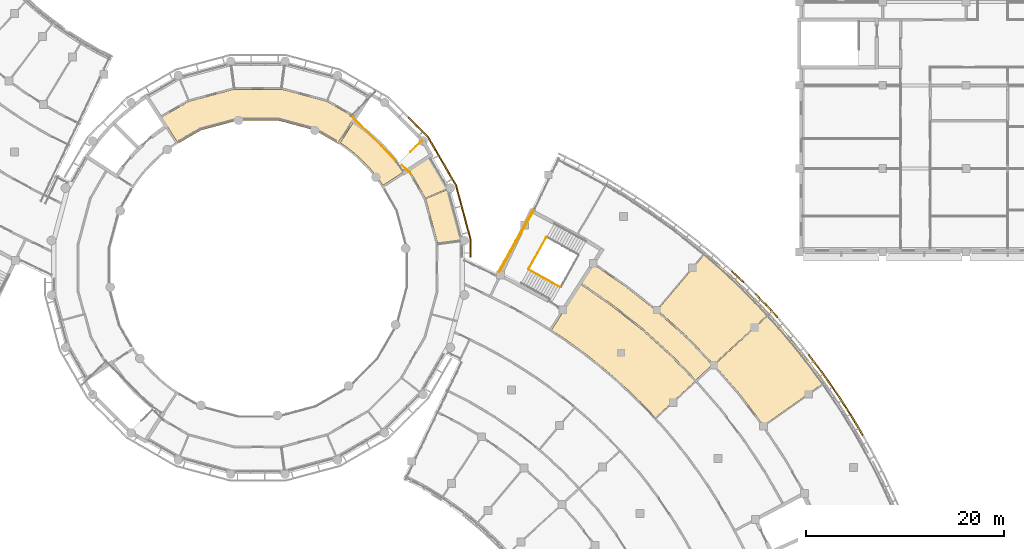
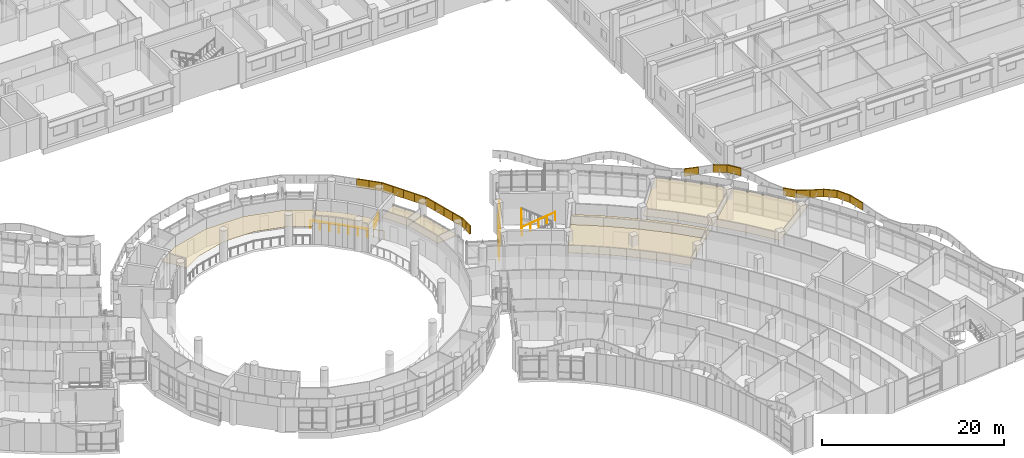
# One storey, part 96 of 109: 29 coverings, 7 railings.
"""IFC4 building model written with IfcOpenShell, lengths in metres."""

from ifc_helpers import new_model, si_unit, direction, frame, origin, origin_2d, place, context, subcontext, project, spatial, polyline, circle, outline, extrude, material, layer, layer_set, type_object, element, save


model = new_model("IFC4")

# Units and contexts
model_context = context("Model", 3, precision=1e-05, world=origin(), true_north=direction((0.0, 1.0)))
body_context = subcontext(model_context, "Body", "Model", "MODEL_VIEW")
ifc_project = project(units=[si_unit("LENGTHUNIT", "METRE"), si_unit("AREAUNIT", "SQUARE_METRE"), si_unit("VOLUMEUNIT", "CUBIC_METRE"), si_unit("PLANEANGLEUNIT", "RADIAN"), si_unit("MASSUNIT", "GRAM", prefix="KILO")], contexts=[model_context])

# Site, building, storey
site_placement = place(None, origin())
site = spatial("IfcSite", under=ifc_project, at=site_placement, CompositionType="ELEMENT")
building_placement = place(site_placement, origin())
building = spatial("IfcBuilding", under=site, at=building_placement, Name="Bougainvillea Quay General Hospital", CompositionType="ELEMENT")
storey_placement = place(building_placement, frame((0.0, 0.0, 12.60009765625)))
storey = spatial("IfcBuildingStorey", under=building, at=storey_placement, Name="L02", CompositionType="ELEMENT", Elevation=12.60009765625)

# Coverings
ifc_material_1 = material(Name="Powder-coated aluminium fascia, white", Category="aluminium")
ifc_layer_1 = layer(ifc_material_1, 0.14990234375)
ifc_layer_set_1 = layer_set([ifc_layer_1], Name="Powder-coated aluminium fascia, white")
covering_type_1 = type_object("IfcCoveringType", Name="Aluminium fascia band white 150x1100", PredefinedType="CLADDING", material=ifc_layer_set_1)
covering_1_placement = place(storey_placement, frame((130.570068359375, 75.06005859375, 3.64990234375), z_axis=(0.0, 0.0, 1.0), x_axis=(0.0, 1.0, 0.0)))
element("IfcCovering", 1, at=covering_1_placement, inside=storey, type_object=covering_type_1, Name="Fascia band white e1 1", PredefinedType="CLADDING", context=body_context, shape_type="SweptSolid", body=[
    extrude(outline(polyline([(0.0, 0.0), (0.84033203125, 0.0), (0.84033203125, -0.14990234375), (0.0, -0.14990234375), (0.0, 0.0)])), origin(), (0.0, 0.0, 1.0), 1.10009765625),
])
covering_2_placement = place(storey_placement, frame((130.570068359375, 75.900390625, 3.64990234375), z_axis=(0.0, 0.0, 1.0), x_axis=(0.0, 1.0, 0.0)))
element("IfcCovering", 2, at=covering_2_placement, inside=storey, type_object=covering_type_1, Name="Fascia band white e1 2", PredefinedType="CLADDING", context=body_context, shape_type="SweptSolid", body=[
    extrude(outline(polyline([(0.0, 0.0), (0.9130859375, 0.0), (0.932861328125, -0.14990234375), (0.0, -0.14990234375), (0.0, 0.0)])), origin(), (0.0, 0.0, 1.0), 1.10009765625),
])
covering_3_placement = place(storey_placement, frame((130.570068359375, 76.8134765625, 3.64990234375), z_axis=(0.0, 0.0, 1.0), x_axis=(-0.258905250026, 0.965902723626, 0.0)))
element("IfcCovering", 3, at=covering_3_placement, inside=storey, type_object=covering_type_1, Name="Fascia band white e1 3", PredefinedType="CLADDING", context=body_context, shape_type="SweptSolid", body=[
    extrude(outline(polyline([(0.0, 0.0), (1.4427484812010494, -1.1102230246251565e-16), (1.4427601315406933, -0.14988922115835282), (-0.019709400122614035, -0.1499110345602391), (0.0, 0.0)])), origin(), (0.0, 0.0, 1.0), 1.10009765625),
])
covering_4_placement = place(storey_placement, frame((130.196533203125, 78.20703125, 3.64990234375), z_axis=(0.0, 0.0, 1.0), x_axis=(-0.258848876884, 0.965917832393, 0.0)))
element("IfcCovering", 4, at=covering_4_placement, inside=storey, type_object=covering_type_1, Name="Fascia band white e1 4", PredefinedType="CLADDING", context=body_context, shape_type="SweptSolid", body=[
    extrude(outline(polyline([(0.0, 0.0), (1.3704379651734342, -5.551115123125783e-17), (1.3704583634542102, -0.1498892202231306), (2.039828077596978e-05, -0.14988922022313056), (0.0, 0.0)])), origin(), (0.0, 0.0, 1.0), 1.10009765625),
])
covering_5_placement = place(storey_placement, frame((129.841796875, 79.53076171875, 3.64990234375), z_axis=(0.0, 0.0, 1.0), x_axis=(-0.258804342537, 0.96592976571, 0.0)))
element("IfcCovering", 5, at=covering_5_placement, inside=storey, type_object=covering_type_1, Name="Fascia band white e1 5", PredefinedType="CLADDING", context=body_context, shape_type="SweptSolid", body=[
    extrude(outline(polyline([(0.0, 0.0), (1.3706737864135623, -5.551115123125783e-17), (1.3707010954037027, -0.14988921912334807), (2.730899014045246e-05, -0.14988921912334804), (0.0, 0.0)])), origin(), (0.0, 0.0, 1.0), 1.10009765625),
])
covering_6_placement = place(storey_placement, frame((129.487060546875, 80.854736328125, 3.64990234375), z_axis=(0.0, 0.0, 1.0), x_axis=(-0.258905250026, 0.965902723626, 0.0)))
element("IfcCovering", 6, at=covering_6_placement, inside=storey, type_object=covering_type_1, Name="Fascia band white e1 6", PredefinedType="CLADDING", context=body_context, shape_type="SweptSolid", body=[
    extrude(outline(polyline([(0.0, 0.0), (1.4427484812010494, -1.1102230246251565e-16), (1.462481182002951, -0.14986740775646643), (1.1650339643856644e-05, -0.14988922115835274), (0.0, 0.0)])), origin(), (0.0, 0.0, 1.0), 1.10009765625),
])
covering_7_placement = place(storey_placement, frame((129.113525390625, 82.248291015625, 3.64990234375), z_axis=(0.0, 0.0, 1.0), x_axis=(-0.49994213401, 0.866058810152, 0.0)))
element("IfcCovering", 7, at=covering_7_placement, inside=storey, type_object=covering_type_1, Name="Fascia band white e1 7", PredefinedType="CLADDING", context=body_context, shape_type="SweptSolid", body=[
    extrude(outline(polyline([(0.0, 0.0), (1.4430380994058942, 0.0), (1.443016331686934, -0.14995740286665526), (-0.019704824865206458, -0.14987107548026693), (0.0, 0.0)])), origin(), (0.0, 0.0, 1.0), 1.10009765625),
])
for number, where, z_axis, x_axis, name in (
    (8, (128.39208984375, 83.498046875, 3.64990234375), (0.0, 0.0, 1.0), (-0.499989712218, 0.866031343357, 0.0), "Fascia band white e1 8"),
    (9, (127.706787109375, 84.68505859375, 3.64990234375), (0.0, 0.0, 1.0), (-0.499989712218, 0.866031343357, 0.0), "Fascia band white e1 9"),
):
    element("IfcCovering", number, at=place(storey_placement, frame(where, z_axis=z_axis, x_axis=x_axis)), inside=storey, type_object=covering_type_1, Name=name, PredefinedType="CLADDING", context=body_context, shape_type="SweptSolid", body=[
        extrude(outline(polyline([(0.0, 0.0), (1.3706336703115394, 0.0), (1.3706036643327093, -0.14995740144450087), (-3.0005978829975022e-05, -0.14995740144450084), (0.0, 0.0)])), origin(), (0.0, 0.0, 1.0), 1.10009765625),
    ])
covering_8_placement = place(storey_placement, frame((127.021484375, 85.8720703125, 3.64990234375), z_axis=(0.0, 0.0, 1.0), x_axis=(-0.500015396624, 0.866016514357, 0.0)))
element("IfcCovering", 10, at=covering_8_placement, inside=storey, type_object=covering_type_1, Name="Fascia band white e1 10", PredefinedType="CLADDING", context=body_context, shape_type="SweptSolid", body=[
    extrude(outline(polyline([(0.0, 0.0), (1.4428266644293797, 0.0), (1.4626866906226388, -0.15016746703797101), (-3.44533927520152e-05, -0.1499574004886377), (0.0, 0.0)])), origin(), (0.0, 0.0, 1.0), 1.10009765625),
])
covering_9_placement = place(storey_placement, frame((126.300048828125, 87.12158203125, 3.64990234375), z_axis=(0.0, 0.0, 1.0), x_axis=(-0.707022163611, 0.707191388638, 0.0)))
element("IfcCovering", 11, at=covering_9_placement, inside=storey, type_object=covering_type_1, Name="Fascia band white e1 11", PredefinedType="CLADDING", context=body_context, shape_type="SweptSolid", body=[
    extrude(outline(polyline([(0.0, 0.0), (1.4426980987993736, 1.1102230246251565e-16), (1.4428886835284849, -0.15001848238266435), (-0.019662245993976327, -0.15019349146840363), (0.0, 0.0)])), origin(), (0.0, 0.0, 1.0), 1.10009765625),
])
covering_10_placement = place(storey_placement, frame((125.280029296875, 88.141845703125, 3.64990234375), z_axis=(0.0, 0.0, 1.0), x_axis=(-0.707195843064, 0.707017708091, 0.0)))
element("IfcCovering", 12, at=covering_10_placement, inside=storey, type_object=covering_type_1, Name="Fascia band white e1 12", PredefinedType="CLADDING", context=body_context, shape_type="SweptSolid", body=[
    extrude(outline(polyline([(0.0, 0.0), (1.3705372998959335, 0.0), (1.3705183817530422, -0.15019113641407222), (0.00015373709223164, -0.15001852466893292), (0.0, 0.0)])), origin(), (0.0, 0.0, 1.0), 1.10009765625),
])
ifc_material_2 = material(Name="Powder-coated aluminium fascia, blue", Category="aluminium")
ifc_layer_2 = layer(ifc_material_2, 0.14990234375)
ifc_layer_set_2 = layer_set([ifc_layer_2], Name="Powder-coated aluminium fascia, blue")
covering_type_2 = type_object("IfcCoveringType", Name="Aluminium wave fascia ribbon blue 150x1000", PredefinedType="CLADDING", material=ifc_layer_set_2)
covering_11_placement = place(storey_placement, frame((170.123779296875, 57.07763671875, 3.890380859375), z_axis=(0.145503094771, -0.248072846829, 0.957751905286), x_axis=(-0.487458890384, 0.824423120497, 0.287594069088)))
element("IfcCovering", 13, at=covering_11_placement, inside=storey, type_object=covering_type_2, Name="Fascia ribbon blue a23 19", PredefinedType="CLADDING", context=body_context, shape_type="SweptSolid", body=[
    extrude(outline(polyline([(0.0, 0.0), (1.7033308539767402, 5.800481622797449e-18), (1.7049485195488137, -0.15005511732157228), (-0.001780487968845149, -0.15015909634301874), (0.0, 0.0)])), origin(), (0.287594069088, -0.000969199216, 0.957751905286), 1.0),
])
covering_12_placement = place(storey_placement, frame((169.29345703125, 58.48193359375, 4.380615234375), z_axis=(0.032792269834, -0.051212604702, 0.998149255452), x_axis=(-0.527795664196, 0.847191972255, 0.060807063761)))
element("IfcCovering", 14, at=covering_12_placement, inside=storey, type_object=covering_type_2, Name="Fascia ribbon blue a23 20", PredefinedType="CLADDING", context=body_context, shape_type="SweptSolid", body=[
    extrude(outline(polyline([(0.0, 0.0), (1.63424712676053, -3.08455518072126e-17), (1.6359615771421105, -0.15006918996823884), (-0.002020087708419499, -0.15004870400414455), (0.0, 0.0)])), origin(), (0.060807063761, 0.000751557042, 0.998149255452), 1.0),
])
covering_13_placement = place(storey_placement, frame((168.430908203125, 59.866455078125, 4.479736328125), z_axis=(-0.114482759681, 0.174611686873, 0.977959332766), x_axis=(-0.536311082284, 0.817786573701, -0.208795457073)))
element("IfcCovering", 15, at=covering_13_placement, inside=storey, type_object=covering_type_2, Name="Fascia ribbon blue a23 21", PredefinedType="CLADDING", context=body_context, shape_type="SweptSolid", body=[
    extrude(outline(polyline([(0.0, 0.0), (1.6679100865576613, 1.2859315392035886e-16), (1.6697166621750128, -0.15004185274581885), (-0.0018406678814210861, -0.15006844926332447), (0.0, 0.0)])), origin(), (-0.208795457073, 2.3718979e-05, 0.977959332766), 1.0),
])
covering_14_placement = place(storey_placement, frame((167.536376953125, 61.23046875, 4.131103515625), z_axis=(-0.1947776476, 0.282399683913, 0.939314689825), x_axis=(-0.533204351494, 0.773307964668, -0.343056717364)))
element("IfcCovering", 16, at=covering_14_placement, inside=storey, type_object=covering_type_2, Name="Fascia ribbon blue a23 22", PredefinedType="CLADDING", context=body_context, shape_type="SweptSolid", body=[
    extrude(outline(polyline([(0.0, 0.0), (1.7367706703960266, 3.4504056512993375e-16), (1.7386119439414227, -0.150097006289703), (-0.0018007082069055578, -0.15004189326590314), (0.0, 0.0)])), origin(), (-0.343056717364, -4.6365906e-05, 0.939314689825), 1.0),
])
covering_15_placement = place(storey_placement, frame((166.6103515625, 62.573486328125, 3.53466796875), z_axis=(-0.172483850301, 0.237702813088, 0.955900985477), x_axis=(-0.560710063214, 0.774177616529, -0.293689024439)))
element("IfcCovering", 17, at=covering_15_placement, inside=storey, type_object=covering_type_2, Name="Fascia ribbon blue a23 23", PredefinedType="CLADDING", context=body_context, shape_type="SweptSolid", body=[
    extrude(outline(polyline([(0.0, 0.0), (1.706406588854417, 4.1470733097570545e-18), (1.7084281958247591, -0.1500369481119821), (-0.001765326151003238, -0.1500979722338392), (0.0, 0.0)])), origin(), (-0.293689024439, -0.000250776763, 0.955900985477), 1.0),
])
covering_16_placement = place(storey_placement, frame((165.653564453125, 63.89453125, 3.033203125), z_axis=(-0.044566031771, 0.057242223045, 0.997365127079), x_axis=(-0.603564840365, 0.794007166012, -0.072540359777)))
element("IfcCovering", 18, at=covering_16_placement, inside=storey, type_object=covering_type_2, Name="Fascia ribbon blue a23 24", PredefinedType="CLADDING", context=body_context, shape_type="SweptSolid", body=[
    extrude(outline(polyline([(0.0, 0.0), (1.635788318474646, -3.10623922417097e-17), (1.6374025162308437, -0.1499648139412402), (-0.0015208439290610015, -0.1500422802972845), (0.0, 0.0)])), origin(), (-0.072540359777, -0.000836355373, 0.997365127079), 1.0),
])
covering_17_placement = place(storey_placement, frame((161.52734375, 68.94677734375, 4.35205078125), z_axis=(0.057443151653, -0.061428445558, 0.996457139271), x_axis=(-0.673985679721, 0.733941897268, 0.084098721549)))
element("IfcCovering", 19, at=covering_17_placement, inside=storey, type_object=covering_type_2, Name="Fascia ribbon blue a23 28", PredefinedType="CLADDING", context=body_context, shape_type="SweptSolid", body=[
    extrude(outline(polyline([(0.0, 0.0), (1.6369387309733805, -1.1546753136970622e-16), (1.6386584463627405, -0.15008104173951187), (-0.0019173247446006836, -0.1500627602201132), (0.0, 0.0)])), origin(), (0.084098721549, 0.000758043076, 0.996457139271), 1.0),
])
covering_18_placement = place(storey_placement, frame((160.424072265625, 70.148193359375, 4.489501953125), z_axis=(-0.132160613441, 0.136282263494, 0.981815011554), x_axis=(-0.680675004274, 0.707561173791, -0.189838678621)))
element("IfcCovering", 20, at=covering_18_placement, inside=storey, type_object=covering_type_2, Name="Fascia ribbon blue a23 29", PredefinedType="CLADDING", context=body_context, shape_type="SweptSolid", body=[
    extrude(outline(polyline([(0.0, 0.0), (1.661731806776273, 1.38073146666029e-16), (1.6634439778482322, -0.1500137958658067), (-0.0018161194105869355, -0.15008070023588002), (0.0, 0.0)])), origin(), (-0.189838678621, -0.000747788489, 0.981815011554), 1.0),
])
covering_19_placement = place(storey_placement, frame((158.135009765625, 72.472900390625, 3.58544921875), z_axis=(-0.221809532102, 0.209054527314, 0.952416261977), x_axis=(-0.691390620047, 0.6550391725, -0.304799430775)))
element("IfcCovering", 21, at=covering_19_placement, inside=storey, type_object=covering_type_2, Name="Fascia ribbon blue a23 31", PredefinedType="CLADDING", context=body_context, shape_type="SweptSolid", body=[
    extrude(outline(polyline([(0.0, 0.0), (1.7126002655920711, 9.047667129391535e-17), (1.714485611563627, -0.14994972329738282), (-0.0019427022948985521, -0.15002449706365362), (0.0, 0.0)])), origin(), (-0.304799430775, -0.000755593097, 0.952416261977), 1.0),
])

# Railings
ifc_material_3 = material(Name="Stainless steel 304 balustrade", Category="steel")
railing_type = type_object("IfcRailingType", Name="Stair guard 1100", PredefinedType="GUARDRAIL", material=ifc_material_3)
railing_1_placement = place(storey_placement, frame((138.267578125, 77.06982421875, 2.099853515625)))
element("IfcRailing", 22, at=railing_1_placement, inside=storey, type_object=railing_type, Name="L02 ST-E1 stair guard 2", PredefinedType="GUARDRAIL", context=body_context, shape_type="SweptSolid", body=[
    extrude(circle(Radius=0.02392578125, at=origin_2d()), frame((0.0, 0.0, 1.076171875), z_axis=(-0.487183857125, -0.873299427091, 0.0), x_axis=(0.873299427091, -0.487183857125, 0.0)), (0.0, 0.0, 1.0), 3.6572265625),
    extrude(circle(Radius=0.02099609375, at=origin_2d()), origin(), (0.0, 0.0, 1.0), 1.052001953125),
    extrude(circle(Radius=0.02099609375, at=origin_2d()), frame((-0.4453125, -0.79833984375, 0.0)), (0.0, 0.0, 1.0), 1.052001953125),
    extrude(circle(Radius=0.02099609375, at=origin_2d()), frame((-0.890869140625, -1.596923828125, 0.0)), (0.0, 0.0, 1.0), 1.052001953125),
    extrude(circle(Radius=0.02099609375, at=origin_2d()), frame((-1.33642578125, -2.3955078125, 0.0)), (0.0, 0.0, 1.0), 1.052001953125),
    extrude(circle(Radius=0.02099609375, at=origin_2d()), frame((-1.78173828125, -3.19384765625, 0.0)), (0.0, 0.0, 1.0), 1.052001953125),
])
railing_2_placement = place(storey_placement, frame((136.9755859375, 79.679931640625, 2.099853515625)))
element("IfcRailing", 23, at=railing_2_placement, inside=storey, type_object=railing_type, Name="L02 ST-E1 stair guard 3", PredefinedType="GUARDRAIL", context=body_context, shape_type="SweptSolid", body=[
    extrude(circle(Radius=0.02392578125, at=origin_2d()), frame((0.0, 0.0, 1.076171875), z_axis=(-0.487209347001, -0.873285206674, 0.0), x_axis=(0.873285206674, -0.487209347001, 0.0)), (0.0, 0.0, 1.0), 6.957275390625),
    extrude(circle(Radius=0.02099609375, at=origin_2d()), origin(), (0.0, 0.0, 1.0), 1.052001953125),
    extrude(circle(Radius=0.02099609375, at=origin_2d()), frame((-0.56494140625, -1.0126953125, 0.0)), (0.0, 0.0, 1.0), 1.052001953125),
    extrude(circle(Radius=0.02099609375, at=origin_2d()), frame((-1.1298828125, -2.025146484375, 0.0)), (0.0, 0.0, 1.0), 1.052001953125),
    extrude(circle(Radius=0.02099609375, at=origin_2d()), frame((-1.69482421875, -3.037841796875, 0.0)), (0.0, 0.0, 1.0), 1.052001953125),
    extrude(circle(Radius=0.02099609375, at=origin_2d()), frame((-2.259765625, -4.050537109375, 0.0)), (0.0, 0.0, 1.0), 1.052001953125),
    extrude(circle(Radius=0.02099609375, at=origin_2d()), frame((-2.82470703125, -5.06298828125, 0.0)), (0.0, 0.0, 1.0), 1.052001953125),
    extrude(circle(Radius=0.02099609375, at=origin_2d()), frame((-3.3896484375, -6.07568359375, 0.0)), (0.0, 0.0, 1.0), 1.052001953125),
])
railing_3_placement = place(storey_placement, frame((136.505126953125, 73.807861328125, 2.25)))
element("IfcRailing", 24, at=railing_3_placement, inside=storey, type_object=railing_type, Name="L02 ST-E1 stair guard 4", PredefinedType="GUARDRAIL", context=body_context, shape_type="SweptSolid", body=[
    extrude(circle(Radius=0.02392578125, at=origin_2d()), frame((0.0, 0.0, 1.076171875), z_axis=(0.769802965158, -0.429422345311, 0.472228593143), x_axis=(0.487162764816, 0.873311193434, 0.0)), (0.0, 0.0, 1.0), 4.129150390625),
    extrude(circle(Radius=0.02099609375, at=origin_2d()), origin(), (0.0, 0.0, 1.0), 1.052001953125),
    extrude(circle(Radius=0.02099609375, at=origin_2d()), frame((0.794677734375, -0.443359375, 0.487548828125)), (0.0, 0.0, 1.0), 1.052001953125),
    extrude(circle(Radius=0.02099609375, at=origin_2d()), frame((1.58935546875, -0.88671875, 0.97509765625)), (0.0, 0.0, 1.0), 1.052001953125),
    extrude(circle(Radius=0.02099609375, at=origin_2d()), frame((2.384033203125, -1.329833984375, 1.46240234375)), (0.0, 0.0, 1.0), 1.052001953125),
    extrude(circle(Radius=0.02099609375, at=origin_2d()), frame((3.1787109375, -1.773193359375, 1.949951171875)), (0.0, 0.0, 1.0), 1.052001953125),
])
railing_4_placement = place(storey_placement, frame((136.93701171875, 79.816162109375, 0.0)))
element("IfcRailing", 25, at=railing_4_placement, inside=storey, type_object=railing_type, Name="L02 ST-E1 stair guard 6", PredefinedType="GUARDRAIL", context=body_context, shape_type="SweptSolid", body=[
    extrude(circle(Radius=0.02392578125, at=origin_2d()), frame((0.0, 0.0, 1.076171875), z_axis=(-0.48719739913, -0.873291872332, 0.0), x_axis=(0.873291872332, -0.48719739913, 0.0)), (0.0, 0.0, 1.0), 7.157470703125),
    extrude(circle(Radius=0.02099609375, at=origin_2d()), origin(), (0.0, 0.0, 1.0), 1.052001953125),
    extrude(circle(Radius=0.02099609375, at=origin_2d()), frame((-0.5810546875, -1.041748046875, 0.0)), (0.0, 0.0, 1.0), 1.052001953125),
    extrude(circle(Radius=0.02099609375, at=origin_2d()), frame((-1.162353515625, -2.08349609375, 0.0)), (0.0, 0.0, 1.0), 1.052001953125),
    extrude(circle(Radius=0.02099609375, at=origin_2d()), frame((-1.74365234375, -3.125244140625, 0.0)), (0.0, 0.0, 1.0), 1.052001953125),
    extrude(circle(Radius=0.02099609375, at=origin_2d()), frame((-2.32470703125, -4.1669921875, 0.0)), (0.0, 0.0, 1.0), 1.052001953125),
    extrude(circle(Radius=0.02099609375, at=origin_2d()), frame((-2.90576171875, -5.208740234375, 0.0)), (0.0, 0.0, 1.0), 1.052001953125),
    extrude(circle(Radius=0.02099609375, at=origin_2d()), frame((-3.487060546875, -6.25048828125, 0.0)), (0.0, 0.0, 1.0), 1.052001953125),
])
railing_5_placement = place(storey_placement, frame((125.734619140625, 86.835205078125, 0.0)))
element("IfcRailing", 26, at=railing_5_placement, inside=storey, type_object=railing_type, Name="L02 ST-H1 top well guard 1", PredefinedType="GUARDRAIL", context=body_context, shape_type="SweptSolid", body=[
    extrude(circle(Radius=0.02392578125, at=origin_2d()), frame((0.0, 0.0, 1.076171875), z_axis=(-0.707106781187, -0.707106781187, 0.0), x_axis=(0.707106781187, -0.707106781187, 0.0)), (0.0, 0.0, 1.0), 1.662841796875),
    extrude(circle(Radius=0.02099609375, at=origin_2d()), origin(), (0.0, 0.0, 1.0), 1.052001953125),
    extrude(circle(Radius=0.02099609375, at=origin_2d()), frame((-0.587890625, -0.587890625, 0.0)), (0.0, 0.0, 1.0), 1.052001953125),
    extrude(circle(Radius=0.02099609375, at=origin_2d()), frame((-1.17578125, -1.17578125, 0.0)), (0.0, 0.0, 1.0), 1.052001953125),
])
railing_6_placement = place(storey_placement, frame((123.180908203125, 84.756103515625, 0.0)))
element("IfcRailing", 27, at=railing_6_placement, inside=storey, type_object=railing_type, Name="L02 ST-H1 top well guard 2", PredefinedType="GUARDRAIL", context=body_context, shape_type="SweptSolid", body=[
    extrude(circle(Radius=0.02392578125, at=origin_2d()), frame((0.0, 0.0, 1.076171875), z_axis=(-0.707106781187, 0.707106781187, 0.0), x_axis=(-0.707106781187, -0.707106781187, 0.0)), (0.0, 0.0, 1.0), 6.50927734375),
    extrude(circle(Radius=0.02099609375, at=origin_2d()), origin(), (0.0, 0.0, 1.0), 1.052001953125),
    extrude(circle(Radius=0.02099609375, at=origin_2d()), frame((-0.76708984375, 0.76708984375, 0.0)), (0.0, 0.0, 1.0), 1.052001953125),
    extrude(circle(Radius=0.02099609375, at=origin_2d()), frame((-1.5341796875, 1.5341796875, 0.0)), (0.0, 0.0, 1.0), 1.052001953125),
    extrude(circle(Radius=0.02099609375, at=origin_2d()), frame((-2.30126953125, 2.30126953125, 0.0)), (0.0, 0.0, 1.0), 1.052001953125),
    extrude(circle(Radius=0.02099609375, at=origin_2d()), frame((-3.068603515625, 3.068603515625, 0.0)), (0.0, 0.0, 1.0), 1.052001953125),
    extrude(circle(Radius=0.02099609375, at=origin_2d()), frame((-3.835693359375, 3.835693359375, 0.0)), (0.0, 0.0, 1.0), 1.052001953125),
    extrude(circle(Radius=0.02099609375, at=origin_2d()), frame((-4.602783203125, 4.602783203125, 0.0)), (0.0, 0.0, 1.0), 1.052001953125),
])
railing_7_placement = place(storey_placement, frame((124.558837890625, 83.51953125, 0.0)))
element("IfcRailing", 28, at=railing_7_placement, inside=storey, type_object=railing_type, Name="L02 ST-H1 top well guard 4", PredefinedType="GUARDRAIL", context=body_context, shape_type="SweptSolid", body=[
    extrude(circle(Radius=0.02392578125, at=origin_2d()), frame((0.0, 0.0, 1.076171875), z_axis=(-0.707106781187, 0.707106781187, 0.0), x_axis=(-0.707106781187, -0.707106781187, 0.0)), (0.0, 0.0, 1.0), 1.212890625),
    extrude(circle(Radius=0.02099609375, at=origin_2d()), origin(), (0.0, 0.0, 1.0), 1.052001953125),
    extrude(circle(Radius=0.02099609375, at=origin_2d()), frame((-0.4287109375, 0.4287109375, 0.0)), (0.0, 0.0, 1.0), 1.052001953125),
    extrude(circle(Radius=0.02099609375, at=origin_2d()), frame((-0.857666015625, 0.857666015625, 0.0)), (0.0, 0.0, 1.0), 1.052001953125),
])

# Coverings
ifc_material_4 = material(Name="Mineral fibre ceiling tile")
ifc_layer_3 = layer(ifc_material_4, 0.030029296875)
ifc_layer_set_3 = layer_set([ifc_layer_3], Name="Mineral fibre ceiling tile")
covering_type_3 = type_object("IfcCoveringType", Name="Suspended ceiling mineral fibre tile", PredefinedType="CEILING", material=ifc_layer_set_3)
covering_20_placement = place(storey_placement, frame((0.0, 0.0, 2.39990234375)))
element("IfcCovering", 29, at=covering_20_placement, inside=storey, type_object=covering_type_3, Name="Ceiling Gallery Corridor", PredefinedType="CEILING", context=body_context, shape_type="SweptSolid", body=[
    extrude(outline(polyline([(117.4033203125, 86.435791015625), (117.314453125, 86.496826171875), (117.231689453125, 86.550537109375), (117.233154296875, 86.552734375), (117.23095703125, 86.55419921875), (117.286865234375, 86.635498046875), (118.649169921875, 88.73388671875), (118.64697265625, 88.7353515625), (118.702880859375, 88.816650390625), (118.756591796875, 88.8994140625), (118.7587890625, 88.89794921875), (118.76025390625, 88.900146484375), (118.778564453125, 88.887451171875), (118.949951171875, 89.151611328125), (116.14599609375, 90.77001953125), (111.569091796875, 91.9970703125), (106.830810546875, 91.9970703125), (102.25390625, 90.77001953125), (99.385009765625, 89.114013671875), (99.941162109375, 88.257080078125), (100.02490234375, 88.3115234375), (101.113037109375, 86.635498046875), (101.1689453125, 86.55419921875), (101.1669921875, 86.552734375), (101.168212890625, 86.550537109375), (101.085693359375, 86.496826171875), (100.996826171875, 86.435791015625), (103.4599609375, 87.85791015625), (107.241943359375, 88.8720703125), (111.157958984375, 88.8720703125), (114.93994140625, 87.85791015625), (117.4033203125, 86.435791015625)])), origin(), (0.0, 0.0, 1.0), 0.030029296875),
])
covering_21_placement = place(storey_placement, frame((0.0, 0.0, 2.699951171875)))
element("IfcCovering", 30, at=covering_21_placement, inside=storey, type_object=covering_type_3, Name="Ceiling Smoke-proof Vestibule ST-H1", PredefinedType="CEILING", context=body_context, shape_type="SweptSolid", body=[
    extrude(outline(polyline([(120.871337890625, 83.5771484375), (120.87548828125, 83.580322265625), (120.934814453125, 83.5029296875), (120.998046875, 83.428955078125), (120.994140625, 83.425537109375), (121.3564453125, 82.953125), (121.36083984375, 82.9560546875), (121.416015625, 82.875732421875), (121.47509765625, 82.798583984375), (121.47119140625, 82.79541015625), (121.80712890625, 82.306884765625), (123.8203125, 83.614013671875), (123.358154296875, 84.2861328125), (122.80029296875, 85.012939453125), (122.20458984375, 85.7099609375), (121.57421875, 86.374267578125), (120.91015625, 87.004638671875), (120.213134765625, 87.600341796875), (119.486083984375, 88.158203125), (118.81396484375, 88.620361328125), (117.5068359375, 86.607177734375), (117.995361328125, 86.271240234375), (117.99853515625, 86.275146484375), (118.075927734375, 86.2158203125), (118.156005859375, 86.16064453125), (118.153076171875, 86.156494140625), (118.62548828125, 85.794189453125), (118.62890625, 85.798095703125), (118.702880859375, 85.734619140625), (118.7802734375, 85.675537109375), (118.777099609375, 85.67138671875), (119.229736328125, 85.28466796875), (119.233154296875, 85.288330078125), (119.303955078125, 85.221435546875), (119.3779296875, 85.157958984375), (119.374755859375, 85.154296875), (119.806884765625, 84.74462890625), (119.810791015625, 84.748291015625), (119.877685546875, 84.677734375), (119.948486328125, 84.61083984375), (119.94482421875, 84.60693359375), (120.354248046875, 84.1748046875), (120.358154296875, 84.177978515625), (120.42138671875, 84.10400390625), (120.48828125, 84.033203125), (120.484619140625, 84.02978515625), (120.871337890625, 83.5771484375)])), origin(), (0.0, 0.0, 1.0), 0.030029296875),
])
covering_22_placement = place(storey_placement, frame((0.0, 0.0, 2.699951171875)))
element("IfcCovering", 31, at=covering_22_placement, inside=storey, type_object=covering_type_3, Name="Ceiling Patient Education Room 02H0312", PredefinedType="CEILING", context=body_context, shape_type="SweptSolid", body=[
    extrude(outline(polyline([(128.614013671875, 81.9873046875), (126.135009765625, 80.960205078125), (126.142333984375, 80.947509765625), (126.12744140625, 80.938720703125), (127.32958984375, 76.455078125), (127.346923828125, 76.455078125), (127.346923828125, 76.440185546875), (130.0068359375, 76.789794921875), (128.614013671875, 81.9873046875)])), origin(), (0.0, 0.0, 1.0), 0.030029296875),
])
covering_23_placement = place(storey_placement, frame((0.0, 0.0, 2.699951171875)))
element("IfcCovering", 32, at=covering_23_placement, inside=storey, type_object=covering_type_3, Name="Ceiling Teaching Room 02H0313", PredefinedType="CEILING", context=body_context, shape_type="SweptSolid", body=[
    extrude(outline(polyline([(126.7099609375, 85.3115234375), (124.466796875, 83.855224609375), (124.480712890625, 83.833984375), (124.4775390625, 83.831787109375), (126.076171875, 81.062255859375), (126.093017578125, 81.06689453125), (126.096923828125, 81.052734375), (128.57568359375, 82.07958984375), (126.7099609375, 85.3115234375)])), origin(), (0.0, 0.0, 1.0), 0.030029296875),
])
covering_24_placement = place(storey_placement, frame((0.0, 0.0, 2.39990234375)))
element("IfcCovering", 33, at=covering_24_placement, inside=storey, type_object=covering_type_3, Name="Ceiling Clinic Corridor 02E1", PredefinedType="CEILING", context=body_context, shape_type="SweptSolid", body=[
    extrude(outline(polyline([(141.794921875, 72.461669921875), (144.8466796875, 70.352783203125), (144.849609375, 70.3564453125), (144.906494140625, 70.311279296875), (144.96630859375, 70.27001953125), (144.963623046875, 70.266357421875), (147.858154296875, 67.9814453125), (147.861328125, 67.98486328125), (147.915283203125, 67.936279296875), (147.972412109375, 67.891357421875), (147.969482421875, 67.8876953125), (150.711181640625, 65.42236328125), (150.715087890625, 65.426025390625), (150.76513671875, 65.3740234375), (150.81884765625, 65.32568359375), (150.8154296875, 65.32177734375), (153.352783203125, 62.684814453125), (155.00830078125, 64.206298828125), (152.32177734375, 66.9990234375), (149.36474609375, 69.65673828125), (146.244384765625, 72.12060546875), (143.014404296875, 74.3525390625), (141.794921875, 72.461669921875)])), origin(), (0.0, 0.0, 1.0), 0.030029296875),
])
covering_25_placement = place(storey_placement, frame((0.0, 0.0, 2.699951171875)))
element("IfcCovering", 34, at=covering_25_placement, inside=storey, type_object=covering_type_3, Name="Ceiling Haematology Waiting Hall 02E101", PredefinedType="CEILING", context=body_context, shape_type="SweptSolid", body=[
    extrude(outline(polyline([(140.07568359375, 69.795654296875), (140.11669921875, 69.77001953125), (140.115966796875, 69.768798828125), (140.1171875, 69.767822265625), (140.010986328125, 69.600341796875), (140.009765625, 69.60107421875), (138.802734375, 67.728515625), (140.103271484375, 66.859619140625), (140.1044921875, 66.861572265625), (140.16455078125, 66.818603515625), (140.22607421875, 66.777587890625), (140.224853515625, 66.77587890625), (141.518310546875, 65.851318359375), (141.51953125, 65.85302734375), (141.578369140625, 65.808349609375), (141.638671875, 65.765380859375), (141.637451171875, 65.763671875), (142.611328125, 65.02490234375), (142.612548828125, 65.0263671875), (142.670166015625, 64.980224609375), (142.72900390625, 64.935302734375), (142.727783203125, 64.933837890625), (143.92626953125, 63.969970703125), (143.927734375, 63.9716796875), (143.98388671875, 63.923828125), (144.04150390625, 63.87744140625), (144.0400390625, 63.875732421875), (145.20751953125, 62.876220703125), (145.208984375, 62.8779296875), (145.263671875, 62.828125), (145.31982421875, 62.7802734375), (145.318359375, 62.778564453125), (146.454833984375, 61.742431640625), (146.456298828125, 61.744140625), (146.50927734375, 61.692626953125), (146.56396484375, 61.642822265625), (146.5625, 61.641357421875), (147.667236328125, 60.571044921875), (147.669189453125, 60.572998046875), (147.72021484375, 60.52001953125), (147.77294921875, 60.46875), (147.771240234375, 60.466796875), (149.271240234375, 58.901123046875), (149.273193359375, 58.90283203125), (149.2890625, 58.885009765625), (153.277099609375, 62.54736328125), (150.660888671875, 65.26611328125), (147.818603515625, 67.821533203125), (144.8173828125, 70.190673828125), (141.71337890625, 72.33544921875), (140.07568359375, 69.795654296875)])), origin(), (0.0, 0.0, 1.0), 0.030029296875),
])
covering_26_placement = place(storey_placement, frame((0.0, 0.0, 2.699951171875)))
element("IfcCovering", 35, at=covering_26_placement, inside=storey, type_object=covering_type_3, Name="Ceiling Pharmacy Preparation Room 02E112", PredefinedType="CEILING", context=body_context, shape_type="SweptSolid", body=[
    extrude(outline(polyline([(155.77099609375, 74.2548828125), (155.73828125, 74.21728515625), (154.3125, 75.449951171875), (149.500732421875, 69.740478515625), (149.518310546875, 69.726318359375), (149.515380859375, 69.72265625), (152.372314453125, 67.155517578125), (152.3759765625, 67.158935546875), (152.42626953125, 67.10693359375), (152.47998046875, 67.05859375), (152.476318359375, 67.0546875), (155.118896484375, 64.307861328125), (155.12353515625, 64.3095703125), (155.1552734375, 64.2734375), (160.6796875, 69.346435546875), (158.92626953125, 71.18994140625), (157.35546875, 72.728759765625), (156.501953125, 73.520263671875), (156.535888671875, 73.556884765625), (155.77099609375, 74.2548828125)])), origin(), (0.0, 0.0, 1.0), 0.030029296875),
])
covering_27_placement = place(storey_placement, frame((0.0, 0.0, 2.699951171875)))
element("IfcCovering", 36, at=covering_27_placement, inside=storey, type_object=covering_type_3, Name="Ceiling Rehabilitation Gym 02E111", PredefinedType="CEILING", context=body_context, shape_type="SweptSolid", body=[
    extrude(outline(polyline([(164.742919921875, 64.593017578125), (164.703857421875, 64.56201171875), (163.337158203125, 66.286376953125), (162.599609375, 67.172119140625), (162.637939453125, 67.2041015625), (161.9560546875, 68.0), (161.918701171875, 67.966552734375), (160.74755859375, 69.27294921875), (155.222900390625, 64.19970703125), (155.25634765625, 64.1650390625), (155.254150390625, 64.16064453125), (157.767333984375, 61.2939453125), (157.771728515625, 61.297119140625), (157.815185546875, 61.239501953125), (157.86279296875, 61.18505859375), (157.85888671875, 61.181640625), (160.17431640625, 58.117431640625), (160.17822265625, 58.119873046875), (160.190673828125, 58.10107421875), (166.285888671875, 62.40869140625), (165.33447265625, 63.725830078125), (165.375, 63.7548828125), (164.742919921875, 64.593017578125)])), origin(), (0.0, 0.0, 1.0), 0.030029296875),
])

save(model, "model.ifc")
